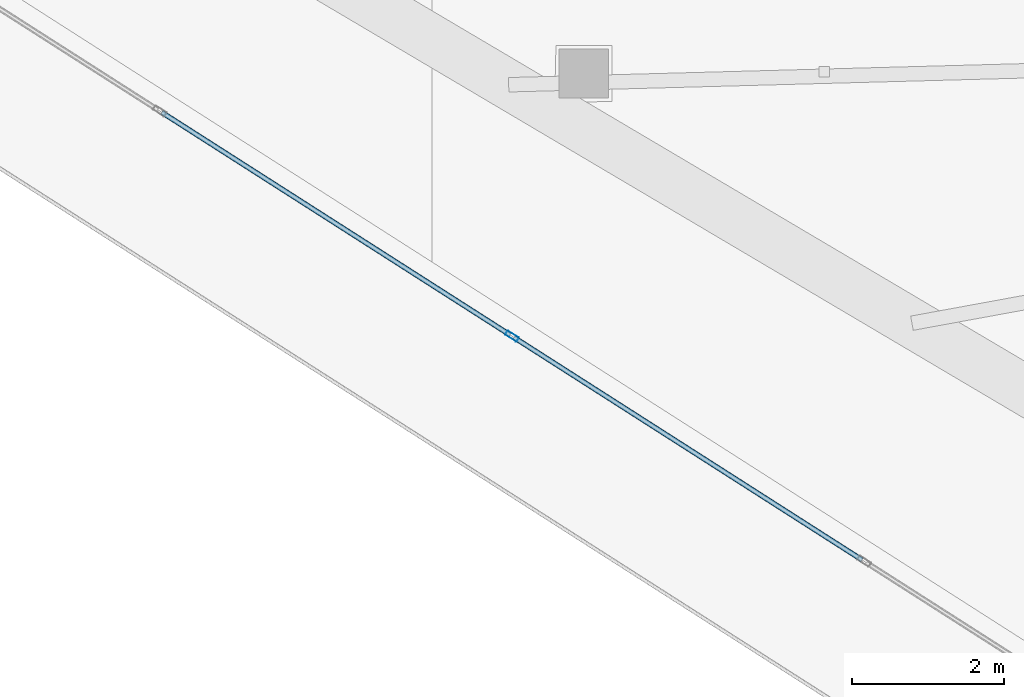
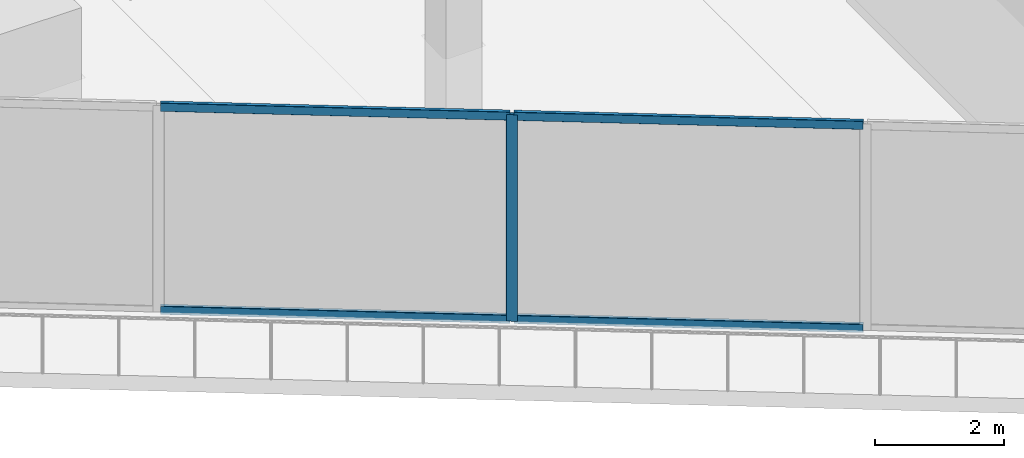
# One storey, part 3 of 45: 5 members, 1 element without a shape of its own.
"""IFC4 building model written with IfcOpenShell, lengths in metres."""

from ifc_helpers import new_model, si_unit, direction, frame, origin, origin_2d, place, context, subcontext, project, spatial, hollow_rectangle, extrude, material, layer, layer_set, material_profile, profile_set, type_object, element, aggregate, save


model = new_model("IFC4")

# Units and contexts
model_context = context("Model", 3, precision=1e-05, world=origin(), true_north=direction((0.0, 1.0)))
body_context = subcontext(model_context, "Body", "Model", "MODEL_VIEW")
ifc_project = project(units=[si_unit("LENGTHUNIT", "METRE"), si_unit("AREAUNIT", "SQUARE_METRE"), si_unit("VOLUMEUNIT", "CUBIC_METRE"), si_unit("PLANEANGLEUNIT", "RADIAN"), si_unit("MASSUNIT", "GRAM", prefix="KILO")], contexts=[model_context])

# Site, building, storey
site_placement = place(None, origin())
site = spatial("IfcSite", under=ifc_project, at=site_placement, CompositionType="ELEMENT")
building_placement = place(site_placement, origin())
building = spatial("IfcBuilding", under=site, at=building_placement, Name="Qorvath Tower", CompositionType="ELEMENT")
storey_placement = place(building_placement, frame((0.0, 0.0, 91.199951171875)))
storey = spatial("IfcBuildingStorey", under=building, at=storey_placement, Name="L20", CompositionType="ELEMENT", Elevation=91.199951171875)

# Curtain wall, members
ifc_material_1 = material(Name="Anodised aluminium and triple low-E glass", Category="aluminium")
ifc_layer = layer(ifc_material_1, 0.179931640625)
ifc_layer_set = layer_set([ifc_layer], Name="CW-SYS-2")
curtain_wall_type = type_object("IfcCurtainWallType", Name="CW-SYS-2", PredefinedType="NOTDEFINED", material=ifc_layer_set)
curtain_wall_placement = place(storey_placement, origin())
curtain_wall = element("IfcCurtainWall", 1, at=curtain_wall_placement, inside=storey, type_object=curtain_wall_type, Name="Curtain Wall CW-2 CW-T-L20-2.1", PredefinedType="NOTDEFINED")
ifc_material_2 = material(Name="Anodised aluminium 6063-T6", Category="aluminium")
ifc_material_profile_1 = material_profile(ifc_material_2, hollow_rectangle(XDim=0.06494140625, YDim=0.179931640625, WallThickness=0.00341796875, InnerFilletRadius=0.00341796875, OuterFilletRadius=0.007080078125, at=origin_2d()), Name="CWM 180x65")
ifc_profile_set_1 = profile_set([ifc_material_profile_1], Name="Anodised aluminium 6063-T6")
member_type_1 = type_object("IfcMemberType", Name="CWM-180", PredefinedType="MULLION", material=ifc_profile_set_1)
member_1_placement = place(storey_placement, frame((-49.524658203125, -9.881591796875, 0.0), z_axis=(0.0, 0.0, 1.0), x_axis=(0.53852928912, 0.842606791309, 0.0)))
member_1 = element("IfcMember", 2, at=member_1_placement, type_object=member_type_1, Name="CW-2 mullion 3", PredefinedType="MULLION", context=body_context, shape_type="SweptSolid", body=[
    extrude(hollow_rectangle(XDim=0.06494140625, YDim=0.179931640625, WallThickness=0.00341796875, InnerFilletRadius=0.00341796875, OuterFilletRadius=0.007080078125, at=origin_2d()), origin(), (0.0, 0.0, 1.0), 3.920166015625),
])
ifc_material_3 = material(Name="Anodised aluminium 6063-T6", Category="aluminium")
ifc_material_profile_2 = material_profile(ifc_material_3, hollow_rectangle(XDim=0.06494140625, YDim=0.159912109375, WallThickness=0.00341796875, InnerFilletRadius=0.00341796875, OuterFilletRadius=0.007080078125, at=origin_2d()), Name="CWT 160x65")
ifc_profile_set_2 = profile_set([ifc_material_profile_2], Name="Anodised aluminium 6063-T6")
member_type_2 = type_object("IfcMemberType", Name="CWT-160", PredefinedType="USERDEFINED", material=ifc_profile_set_2)
member_2_placement = place(storey_placement, frame((-54.131591796875, -6.937255859375, 0.032470703125), z_axis=(0.842620391035, -0.538508009794, 0.0), x_axis=(0.538508009794, 0.842620391035, 0.0)))
member_2 = element("IfcMember", 3, at=member_2_placement, type_object=member_type_2, Name="CW-2 transom 2.1", ObjectType="TRANSOM", PredefinedType="USERDEFINED", context=body_context, shape_type="SweptSolid", body=[
    extrude(hollow_rectangle(XDim=0.06494140625, YDim=0.159912109375, WallThickness=0.00341796875, InnerFilletRadius=0.00341796875, OuterFilletRadius=0.007080078125, at=origin_2d()), origin(), (0.0, 0.0, 1.0), 5.43505859375),
])
member_3_placement = place(storey_placement, frame((-54.131591796875, -6.937255859375, 3.8876953125), z_axis=(0.842620391035, -0.538508009794, 0.0), x_axis=(0.538508009794, 0.842620391035, 0.0)))
member_3 = element("IfcMember", 4, at=member_3_placement, type_object=member_type_2, Name="CW-2 transom 2.2", ObjectType="TRANSOM", PredefinedType="USERDEFINED", context=body_context, shape_type="SweptSolid", body=[
    extrude(hollow_rectangle(XDim=0.06494140625, YDim=0.159912109375, WallThickness=0.00341796875, InnerFilletRadius=0.00341796875, OuterFilletRadius=0.007080078125, at=origin_2d()), origin(), (0.0, 0.0, 1.0), 5.43505859375),
])
member_4_placement = place(storey_placement, frame((-49.4970703125, -9.899169921875, 0.032470703125), z_axis=(0.842607363734, -0.538528393477, 0.0), x_axis=(0.538528393477, 0.842607363734, 0.0)))
member_4 = element("IfcMember", 5, at=member_4_placement, type_object=member_type_2, Name="CW-2 transom 3.1", ObjectType="TRANSOM", PredefinedType="USERDEFINED", context=body_context, shape_type="SweptSolid", body=[
    extrude(hollow_rectangle(XDim=0.06494140625, YDim=0.159912109375, WallThickness=0.00341796875, InnerFilletRadius=0.00341796875, OuterFilletRadius=0.007080078125, at=origin_2d()), origin(), (0.0, 0.0, 1.0), 5.434814453125),
])
member_5_placement = place(storey_placement, frame((-49.4970703125, -9.899169921875, 3.8876953125), z_axis=(0.842607363734, -0.538528393477, 0.0), x_axis=(0.538528393477, 0.842607363734, 0.0)))
member_5 = element("IfcMember", 6, at=member_5_placement, type_object=member_type_2, Name="CW-2 transom 3.2", ObjectType="TRANSOM", PredefinedType="USERDEFINED", context=body_context, shape_type="SweptSolid", body=[
    extrude(hollow_rectangle(XDim=0.06494140625, YDim=0.159912109375, WallThickness=0.00341796875, InnerFilletRadius=0.00341796875, OuterFilletRadius=0.007080078125, at=origin_2d()), origin(), (0.0, 0.0, 1.0), 5.434814453125),
])
aggregate(curtain_wall, [member_1, member_2, member_3, member_4, member_5])

save(model, "model.ifc")
